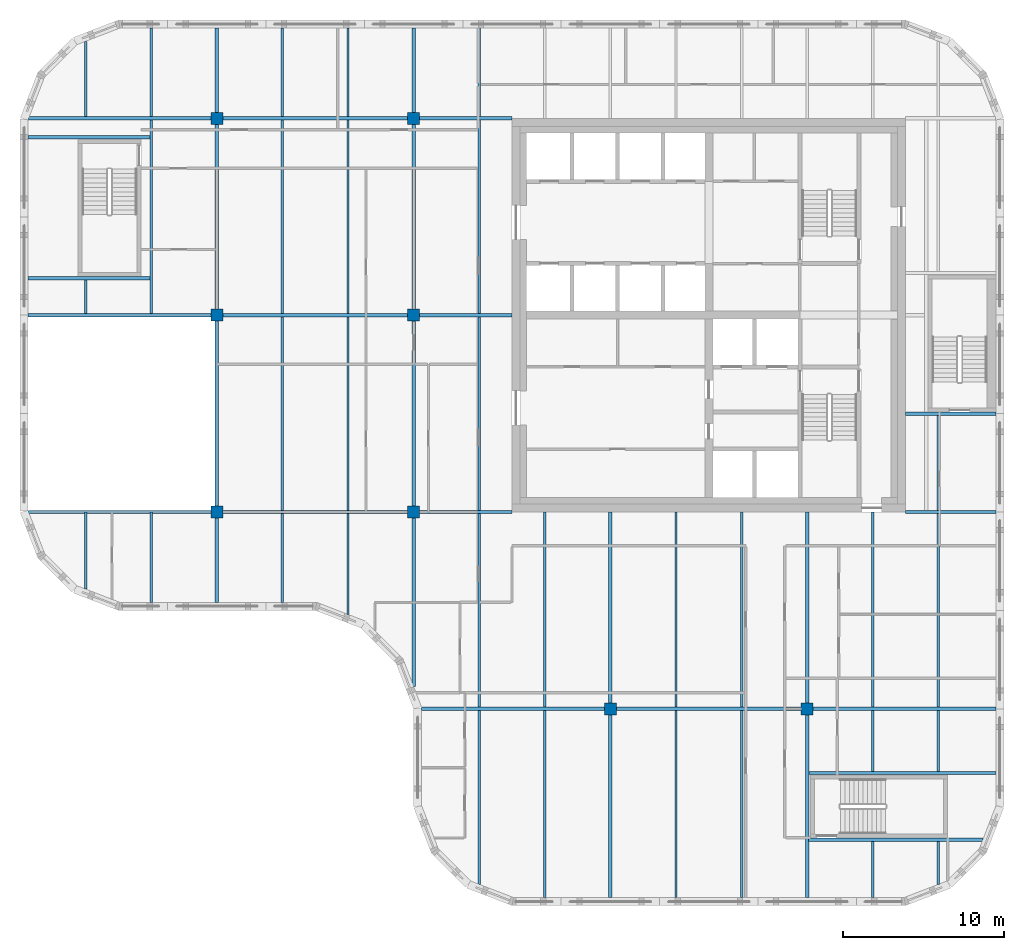
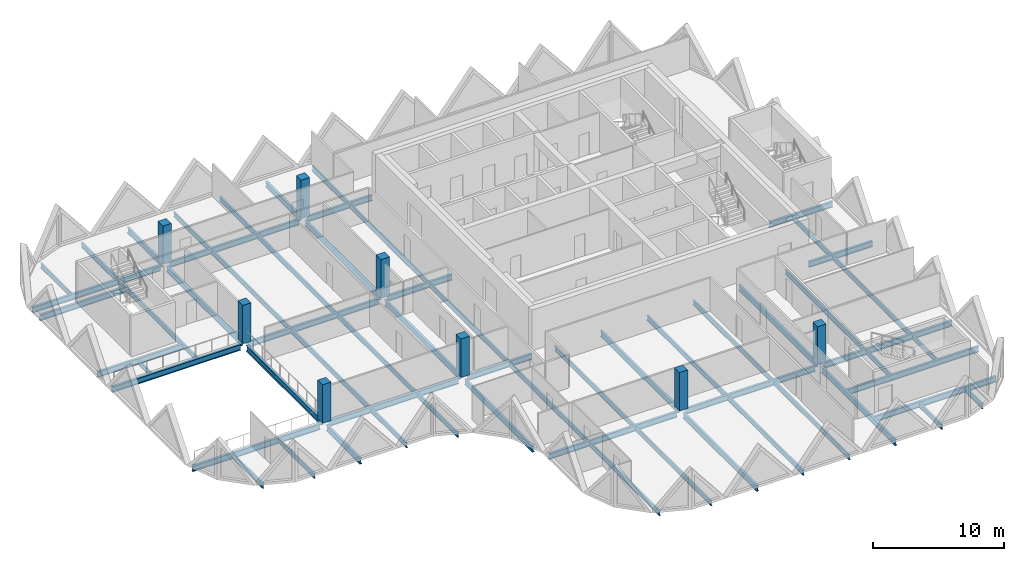
# One storey, part 1 of 11: 62 beams, 8 columns.
"""IFC4 building model written with IfcOpenShell, lengths in metres."""

from ifc_helpers import new_model, si_unit, direction, frame, origin, origin_2d, place, context, subcontext, project, spatial, rectangle, i_section, extrude, material, material_profile, profile_set, type_object, element, save


model = new_model("IFC4")

# Units and contexts
model_context = context("Model", 3, precision=1e-05, world=origin(), true_north=direction((0.0, 1.0)))
body_context = subcontext(model_context, "Body", "Model", "MODEL_VIEW")
ifc_project = project(units=[si_unit("LENGTHUNIT", "METRE"), si_unit("AREAUNIT", "SQUARE_METRE"), si_unit("VOLUMEUNIT", "CUBIC_METRE"), si_unit("PLANEANGLEUNIT", "RADIAN"), si_unit("MASSUNIT", "GRAM", prefix="KILO")], contexts=[model_context])

# Site, building, storey
site_placement = place(None, origin())
site = spatial("IfcSite", under=ifc_project, at=site_placement, CompositionType="ELEMENT")
building_placement = place(site_placement, origin())
building = spatial("IfcBuilding", under=site, at=building_placement, Name="Tessera Gate Towers", CompositionType="ELEMENT")
storey_placement = place(building_placement, frame((0.0, 0.0, 197.89990234375)))
storey = spatial("IfcBuildingStorey", under=building, at=storey_placement, Name="L49", CompositionType="ELEMENT", Elevation=197.89990234375)

# Columns
ifc_material_1 = material(Name="Concrete C70/85", Category="concrete")
ifc_material_profile_1 = material_profile(ifc_material_1, rectangle(XDim=0.75, YDim=0.75, at=origin_2d()), Name="RC 750x750")
ifc_profile_set_1 = profile_set([ifc_material_profile_1], Name="Concrete C70/85")
column_type = type_object("IfcColumnType", Name="COLUMN RC 750x750", PredefinedType="COLUMN", material=ifc_profile_set_1)
for number, where, z_axis, x_axis, name in (
    (1, (12.199951171875, 24.39990234375, 0.0), (0.0, 0.0, 1.0), (1.0, 0.0, 0.0), "T1-COL-2C-L49"),
    (2, (12.199951171875, 36.60009765625, 0.0), (0.0, 0.0, 1.0), (1.0, 0.0, 0.0), "T1-COL-2D-L49"),
    (3, (12.199951171875, 48.800048828125, 0.0), (0.0, 0.0, 1.0), (1.0, 0.0, 0.0), "T1-COL-2E-L49"),
    (4, (24.39990234375, 24.39990234375, 0.0), (0.0, 0.0, 1.0), (1.0, 0.0, 0.0), "T1-COL-3C-L49"),
    (5, (24.39990234375, 36.60009765625, 0.0), (0.0, 0.0, 1.0), (1.0, 0.0, 0.0), "T1-COL-3D-L49"),
    (6, (24.39990234375, 48.800048828125, 0.0), (0.0, 0.0, 1.0), (1.0, 0.0, 0.0), "T1-COL-3E-L49"),
    (7, (36.60009765625, 12.199951171875, 0.0), (0.0, 0.0, 1.0), (1.0, 0.0, 0.0), "T1-COL-4B-L49"),
    (8, (48.800048828125, 12.199951171875, 0.0), (0.0, 0.0, 1.0), (1.0, 0.0, 0.0), "T1-COL-5B-L49"),
):
    element("IfcColumn", number, at=place(storey_placement, frame(where, z_axis=z_axis, x_axis=x_axis)), inside=storey, type_object=column_type, Name=name, PredefinedType="COLUMN", context=body_context, shape_type="SweptSolid", body=[
        extrude(rectangle(XDim=0.75, YDim=0.75, at=origin_2d()), origin(), (0.0, 0.0, 1.0), 3.60009765625),
    ])

# Beams
ifc_material_2 = material(Name="Steel 350W", Category="steel")
ifc_material_profile_2 = material_profile(ifc_material_2, i_section(OverallWidth=0.208984375, OverallDepth=0.532958984375, WebThickness=0.01025390625, FlangeThickness=0.015625, at=origin_2d()), Name="W530x92")
ifc_profile_set_2 = profile_set([ifc_material_profile_2], Name="Steel 350W")
beam_type_1 = type_object("IfcBeamType", Name="FLOOR GIRDER W530x92", PredefinedType="BEAM", material=ifc_profile_set_2)
beam_1_placement = place(storey_placement, frame((24.89892578125, 12.199951171875, -0.46630859375), z_axis=(1.0, 0.0, 0.0), x_axis=(0.0, 1.0, 0.0)))
element("IfcBeam", 9, at=beam_1_placement, inside=storey, type_object=beam_type_1, Name="T1-GD-L49-5182", PredefinedType="BEAM", context=body_context, shape_type="SweptSolid", body=[
    extrude(i_section(OverallWidth=0.208984375, OverallDepth=0.532958984375, WebThickness=0.01025390625, FlangeThickness=0.015625, at=origin_2d()), origin(), (0.0, 0.0, 1.0), 11.326171875),
])
beam_2_placement = place(storey_placement, frame((36.97509765625, 12.199951171875, -0.46630859375), z_axis=(1.0, 0.0, 0.0), x_axis=(0.0, 1.0, 0.0)))
element("IfcBeam", 10, at=beam_2_placement, inside=storey, type_object=beam_type_1, Name="T1-GD-L49-5183", PredefinedType="BEAM", context=body_context, shape_type="SweptSolid", body=[
    extrude(i_section(OverallWidth=0.208984375, OverallDepth=0.532958984375, WebThickness=0.01025390625, FlangeThickness=0.015625, at=origin_2d()), origin(), (0.0, 0.0, 1.0), 11.449951171875),
])
beam_3_placement = place(storey_placement, frame((49.175048828125, 12.199951171875, -0.46630859375), z_axis=(1.0, 0.0, 0.0), x_axis=(0.0, 1.0, 0.0)))
element("IfcBeam", 11, at=beam_3_placement, inside=storey, type_object=beam_type_1, Name="T1-GD-L49-5184", PredefinedType="BEAM", context=body_context, shape_type="SweptSolid", body=[
    extrude(i_section(OverallWidth=0.208984375, OverallDepth=0.532958984375, WebThickness=0.01025390625, FlangeThickness=0.015625, at=origin_2d()), origin(), (0.0, 0.0, 1.0), 11.325927734375),
])
beam_4_placement = place(storey_placement, frame((0.534912109375, 24.39990234375, -0.46630859375), z_axis=(1.0, 0.0, 0.0), x_axis=(0.0, 1.0, 0.0)))
element("IfcBeam", 12, at=beam_4_placement, inside=storey, type_object=beam_type_1, Name="T1-GD-L49-5185", PredefinedType="BEAM", context=body_context, shape_type="SweptSolid", body=[
    extrude(i_section(OverallWidth=0.208984375, OverallDepth=0.532958984375, WebThickness=0.01025390625, FlangeThickness=0.015625, at=origin_2d()), origin(), (0.0, 0.0, 1.0), 11.2900390625),
])
beam_5_placement = place(storey_placement, frame((12.574951171875, 24.39990234375, -0.46630859375), z_axis=(1.0, 0.0, 0.0), x_axis=(0.0, 1.0, 0.0)))
element("IfcBeam", 13, at=beam_5_placement, inside=storey, type_object=beam_type_1, Name="T1-GD-L49-5186", PredefinedType="BEAM", context=body_context, shape_type="SweptSolid", body=[
    extrude(i_section(OverallWidth=0.208984375, OverallDepth=0.532958984375, WebThickness=0.01025390625, FlangeThickness=0.015625, at=origin_2d()), origin(), (0.0, 0.0, 1.0), 11.449951171875),
])
beam_6_placement = place(storey_placement, frame((24.77490234375, 24.39990234375, -0.46630859375), z_axis=(1.0, 0.0, 0.0), x_axis=(0.0, 1.0, 0.0)))
element("IfcBeam", 14, at=beam_6_placement, inside=storey, type_object=beam_type_1, Name="T1-GD-L49-5187", PredefinedType="BEAM", context=body_context, shape_type="SweptSolid", body=[
    extrude(i_section(OverallWidth=0.208984375, OverallDepth=0.532958984375, WebThickness=0.01025390625, FlangeThickness=0.015625, at=origin_2d()), origin(), (0.0, 0.0, 1.0), 5.72412109375),
])
beam_7_placement = place(storey_placement, frame((54.90087890625, 24.39990234375, -0.46630859375), z_axis=(1.0, 0.0, 0.0), x_axis=(0.0, 1.0, 0.0)))
element("IfcBeam", 15, at=beam_7_placement, inside=storey, type_object=beam_type_1, Name="T1-GD-L49-5188", PredefinedType="BEAM", context=body_context, shape_type="SweptSolid", body=[
    extrude(i_section(OverallWidth=0.208984375, OverallDepth=0.532958984375, WebThickness=0.01025390625, FlangeThickness=0.015625, at=origin_2d()), origin(), (0.0, 0.0, 1.0), 5.60009765625),
])
beam_8_placement = place(storey_placement, frame((0.4990234375, 36.60009765625, -0.46630859375), z_axis=(1.0, 0.0, 0.0), x_axis=(0.0, 1.0, 0.0)))
element("IfcBeam", 16, at=beam_8_placement, inside=storey, type_object=beam_type_1, Name="T1-GD-L49-5189", PredefinedType="BEAM", context=body_context, shape_type="SweptSolid", body=[
    extrude(i_section(OverallWidth=0.208984375, OverallDepth=0.532958984375, WebThickness=0.01025390625, FlangeThickness=0.015625, at=origin_2d()), origin(), (0.0, 0.0, 1.0), 11.325927734375),
])
beam_9_placement = place(storey_placement, frame((12.574951171875, 36.60009765625, -0.46630859375), z_axis=(1.0, 0.0, 0.0), x_axis=(0.0, 1.0, 0.0)))
element("IfcBeam", 17, at=beam_9_placement, inside=storey, type_object=beam_type_1, Name="T1-GD-L49-5190", PredefinedType="BEAM", context=body_context, shape_type="SweptSolid", body=[
    extrude(i_section(OverallWidth=0.208984375, OverallDepth=0.532958984375, WebThickness=0.01025390625, FlangeThickness=0.015625, at=origin_2d()), origin(), (0.0, 0.0, 1.0), 11.449951171875),
])
beam_10_placement = place(storey_placement, frame((24.77490234375, 36.60009765625, -0.46630859375), z_axis=(1.0, 0.0, 0.0), x_axis=(0.0, 1.0, 0.0)))
element("IfcBeam", 18, at=beam_10_placement, inside=storey, type_object=beam_type_1, Name="T1-GD-L49-5191", PredefinedType="BEAM", context=body_context, shape_type="SweptSolid", body=[
    extrude(i_section(OverallWidth=0.208984375, OverallDepth=0.532958984375, WebThickness=0.01025390625, FlangeThickness=0.015625, at=origin_2d()), origin(), (0.0, 0.0, 1.0), 5.72607421875),
])
beam_11_placement = place(storey_placement, frame((0.534912109375, 48.800048828125, -0.46630859375), z_axis=(1.0, 0.0, 0.0), x_axis=(0.0, 1.0, 0.0)))
element("IfcBeam", 19, at=beam_11_placement, inside=storey, type_object=beam_type_1, Name="T1-GD-L49-5193", PredefinedType="BEAM", context=body_context, shape_type="SweptSolid", body=[
    extrude(i_section(OverallWidth=0.208984375, OverallDepth=0.532958984375, WebThickness=0.01025390625, FlangeThickness=0.015625, at=origin_2d()), origin(), (0.0, 0.0, 1.0), 11.2900390625),
])
beam_12_placement = place(storey_placement, frame((12.574951171875, 48.800048828125, -0.46630859375), z_axis=(1.0, 0.0, 0.0), x_axis=(0.0, 1.0, 0.0)))
element("IfcBeam", 20, at=beam_12_placement, inside=storey, type_object=beam_type_1, Name="T1-GD-L49-5194", PredefinedType="BEAM", context=body_context, shape_type="SweptSolid", body=[
    extrude(i_section(OverallWidth=0.208984375, OverallDepth=0.532958984375, WebThickness=0.01025390625, FlangeThickness=0.015625, at=origin_2d()), origin(), (0.0, 0.0, 1.0), 11.449951171875),
])
beam_13_placement = place(storey_placement, frame((24.77490234375, 48.800048828125, -0.46630859375), z_axis=(1.0, 0.0, 0.0), x_axis=(0.0, 1.0, 0.0)))
element("IfcBeam", 21, at=beam_13_placement, inside=storey, type_object=beam_type_1, Name="T1-GD-L49-5195", PredefinedType="BEAM", context=body_context, shape_type="SweptSolid", body=[
    extrude(i_section(OverallWidth=0.208984375, OverallDepth=0.532958984375, WebThickness=0.01025390625, FlangeThickness=0.015625, at=origin_2d()), origin(), (0.0, 0.0, 1.0), 5.72412109375),
])
beam_14_placement = place(storey_placement, frame((12.199951171875, 18.799072265625, -0.46630859375), z_axis=(0.0, 1.0, 0.0), x_axis=(-1.0, 0.0, 0.0)))
element("IfcBeam", 22, at=beam_14_placement, inside=storey, type_object=beam_type_1, Name="T1-GD-L49-5197", PredefinedType="BEAM", context=body_context, shape_type="SweptSolid", body=[
    extrude(i_section(OverallWidth=0.208984375, OverallDepth=0.532958984375, WebThickness=0.01025390625, FlangeThickness=0.015625, at=origin_2d()), origin(), (0.0, 0.0, 1.0), 5.225830078125),
])
beam_15_placement = place(storey_placement, frame((12.199951171875, 24.77490234375, -0.46630859375), z_axis=(0.0, 1.0, 0.0), x_axis=(-1.0, 0.0, 0.0)))
element("IfcBeam", 23, at=beam_15_placement, inside=storey, type_object=beam_type_1, Name="T1-GD-L49-5198", PredefinedType="BEAM", context=body_context, shape_type="SweptSolid", body=[
    extrude(i_section(OverallWidth=0.208984375, OverallDepth=0.532958984375, WebThickness=0.01025390625, FlangeThickness=0.015625, at=origin_2d()), origin(), (0.0, 0.0, 1.0), 11.4501953125),
])
beam_16_placement = place(storey_placement, frame((12.199951171875, 36.97509765625, -0.46630859375), z_axis=(0.0, 1.0, 0.0), x_axis=(-1.0, 0.0, 0.0)))
element("IfcBeam", 24, at=beam_16_placement, inside=storey, type_object=beam_type_1, Name="T1-GD-L49-5199", PredefinedType="BEAM", context=body_context, shape_type="SweptSolid", body=[
    extrude(i_section(OverallWidth=0.208984375, OverallDepth=0.532958984375, WebThickness=0.01025390625, FlangeThickness=0.015625, at=origin_2d()), origin(), (0.0, 0.0, 1.0), 11.449951171875),
])
beam_17_placement = place(storey_placement, frame((12.199951171875, 49.175048828125, -0.46630859375), z_axis=(0.0, 1.0, 0.0), x_axis=(-1.0, 0.0, 0.0)))
element("IfcBeam", 25, at=beam_17_placement, inside=storey, type_object=beam_type_1, Name="T1-GD-L49-5200", PredefinedType="BEAM", context=body_context, shape_type="SweptSolid", body=[
    extrude(i_section(OverallWidth=0.208984375, OverallDepth=0.532958984375, WebThickness=0.01025390625, FlangeThickness=0.015625, at=origin_2d()), origin(), (0.0, 0.0, 1.0), 5.225830078125),
])
beam_18_placement = place(storey_placement, frame((24.39990234375, 13.58642578125, -0.46630859375), z_axis=(0.0, 1.0, 0.0), x_axis=(-1.0, 0.0, 0.0)))
element("IfcBeam", 26, at=beam_18_placement, inside=storey, type_object=beam_type_1, Name="T1-GD-L49-5201", PredefinedType="BEAM", context=body_context, shape_type="SweptSolid", body=[
    extrude(i_section(OverallWidth=0.208984375, OverallDepth=0.532958984375, WebThickness=0.01025390625, FlangeThickness=0.015625, at=origin_2d()), origin(), (0.0, 0.0, 1.0), 10.4384765625),
])
beam_19_placement = place(storey_placement, frame((24.39990234375, 24.77490234375, -0.46630859375), z_axis=(0.0, 1.0, 0.0), x_axis=(-1.0, 0.0, 0.0)))
element("IfcBeam", 27, at=beam_19_placement, inside=storey, type_object=beam_type_1, Name="T1-GD-L49-5202", PredefinedType="BEAM", context=body_context, shape_type="SweptSolid", body=[
    extrude(i_section(OverallWidth=0.208984375, OverallDepth=0.532958984375, WebThickness=0.01025390625, FlangeThickness=0.015625, at=origin_2d()), origin(), (0.0, 0.0, 1.0), 11.4501953125),
])
beam_20_placement = place(storey_placement, frame((24.39990234375, 36.97509765625, -0.46630859375), z_axis=(0.0, 1.0, 0.0), x_axis=(-1.0, 0.0, 0.0)))
element("IfcBeam", 28, at=beam_20_placement, inside=storey, type_object=beam_type_1, Name="T1-GD-L49-5203", PredefinedType="BEAM", context=body_context, shape_type="SweptSolid", body=[
    extrude(i_section(OverallWidth=0.208984375, OverallDepth=0.532958984375, WebThickness=0.01025390625, FlangeThickness=0.015625, at=origin_2d()), origin(), (0.0, 0.0, 1.0), 11.449951171875),
])
beam_21_placement = place(storey_placement, frame((24.39990234375, 49.175048828125, -0.46630859375), z_axis=(0.0, 1.0, 0.0), x_axis=(-1.0, 0.0, 0.0)))
element("IfcBeam", 29, at=beam_21_placement, inside=storey, type_object=beam_type_1, Name="T1-GD-L49-5204", PredefinedType="BEAM", context=body_context, shape_type="SweptSolid", body=[
    extrude(i_section(OverallWidth=0.208984375, OverallDepth=0.532958984375, WebThickness=0.01025390625, FlangeThickness=0.015625, at=origin_2d()), origin(), (0.0, 0.0, 1.0), 5.225830078125),
])
beam_22_placement = place(storey_placement, frame((36.60009765625, 0.4990234375, -0.46630859375), z_axis=(0.0, 1.0, 0.0), x_axis=(-1.0, 0.0, 0.0)))
element("IfcBeam", 30, at=beam_22_placement, inside=storey, type_object=beam_type_1, Name="T1-GD-L49-5205", PredefinedType="BEAM", context=body_context, shape_type="SweptSolid", body=[
    extrude(i_section(OverallWidth=0.208984375, OverallDepth=0.532958984375, WebThickness=0.01025390625, FlangeThickness=0.015625, at=origin_2d()), origin(), (0.0, 0.0, 1.0), 11.325927734375),
])
beam_23_placement = place(storey_placement, frame((36.60009765625, 12.574951171875, -0.46630859375), z_axis=(0.0, 1.0, 0.0), x_axis=(-1.0, 0.0, 0.0)))
element("IfcBeam", 31, at=beam_23_placement, inside=storey, type_object=beam_type_1, Name="T1-GD-L49-5206", PredefinedType="BEAM", context=body_context, shape_type="SweptSolid", body=[
    extrude(i_section(OverallWidth=0.208984375, OverallDepth=0.532958984375, WebThickness=0.01025390625, FlangeThickness=0.015625, at=origin_2d()), origin(), (0.0, 0.0, 1.0), 11.824951171875),
])
beam_24_placement = place(storey_placement, frame((48.800048828125, 0.4990234375, -0.46630859375), z_axis=(0.0, 1.0, 0.0), x_axis=(-1.0, 0.0, 0.0)))
element("IfcBeam", 32, at=beam_24_placement, inside=storey, type_object=beam_type_1, Name="T1-GD-L49-5207", PredefinedType="BEAM", context=body_context, shape_type="SweptSolid", body=[
    extrude(i_section(OverallWidth=0.208984375, OverallDepth=0.532958984375, WebThickness=0.01025390625, FlangeThickness=0.015625, at=origin_2d()), origin(), (0.0, 0.0, 1.0), 11.325927734375),
])
beam_25_placement = place(storey_placement, frame((48.800048828125, 12.574951171875, -0.46630859375), z_axis=(0.0, 1.0, 0.0), x_axis=(-1.0, 0.0, 0.0)))
element("IfcBeam", 33, at=beam_25_placement, inside=storey, type_object=beam_type_1, Name="T1-GD-L49-5208", PredefinedType="BEAM", context=body_context, shape_type="SweptSolid", body=[
    extrude(i_section(OverallWidth=0.208984375, OverallDepth=0.532958984375, WebThickness=0.01025390625, FlangeThickness=0.015625, at=origin_2d()), origin(), (0.0, 0.0, 1.0), 11.824951171875),
])
for number, where, z_axis, x_axis, name in (
    (34, (0.4990234375, 38.8798828125, -0.46630859375), (1.0, 0.0, 0.0), (0.0, 1.0, 0.0), "T1-GD-L49-5209"),
    (35, (0.4990234375, 47.6201171875, -0.46630859375), (1.0, 0.0, 0.0), (0.0, 1.0, 0.0), "T1-GD-L49-5210"),
):
    element("IfcBeam", number, at=place(storey_placement, frame(where, z_axis=z_axis, x_axis=x_axis)), inside=storey, type_object=beam_type_1, Name=name, PredefinedType="BEAM", context=body_context, shape_type="SweptSolid", body=[
        extrude(i_section(OverallWidth=0.208984375, OverallDepth=0.532958984375, WebThickness=0.01025390625, FlangeThickness=0.015625, at=origin_2d()), origin(), (0.0, 0.0, 1.0), 7.557861328125),
    ])
beam_26_placement = place(storey_placement, frame((48.87646484375, 4.080078125, -0.46630859375), z_axis=(1.0, 0.0, 0.0), x_axis=(0.0, 1.0, 0.0)))
element("IfcBeam", 36, at=beam_26_placement, inside=storey, type_object=beam_type_1, Name="T1-GD-L49-5211", PredefinedType="BEAM", context=body_context, shape_type="SweptSolid", body=[
    extrude(i_section(OverallWidth=0.208984375, OverallDepth=0.532958984375, WebThickness=0.01025390625, FlangeThickness=0.015625, at=origin_2d()), origin(), (0.0, 0.0, 1.0), 10.809326171875),
])
beam_27_placement = place(storey_placement, frame((48.87646484375, 8.219970703125, -0.46630859375), z_axis=(1.0, 0.0, 0.0), x_axis=(0.0, 1.0, 0.0)))
element("IfcBeam", 37, at=beam_27_placement, inside=storey, type_object=beam_type_1, Name="T1-GD-L49-5212", PredefinedType="BEAM", context=body_context, shape_type="SweptSolid", body=[
    extrude(i_section(OverallWidth=0.208984375, OverallDepth=0.532958984375, WebThickness=0.01025390625, FlangeThickness=0.015625, at=origin_2d()), origin(), (0.0, 0.0, 1.0), 11.62451171875),
])
beam_28_placement = place(storey_placement, frame((54.89892578125, 30.47998046875, -0.46630859375), z_axis=(1.0, 0.0, 0.0), x_axis=(0.0, 1.0, 0.0)))
element("IfcBeam", 38, at=beam_28_placement, inside=storey, type_object=beam_type_1, Name="T1-GD-L49-5213", PredefinedType="BEAM", context=body_context, shape_type="SweptSolid", body=[
    extrude(i_section(OverallWidth=0.208984375, OverallDepth=0.532958984375, WebThickness=0.01025390625, FlangeThickness=0.015625, at=origin_2d()), origin(), (0.0, 0.0, 1.0), 5.60205078125),
])
ifc_material_3 = material(Name="Steel 350W", Category="steel")
ifc_material_profile_3 = material_profile(ifc_material_3, i_section(OverallWidth=0.153076171875, OverallDepth=0.455078125, WebThickness=0.008056640625, FlangeThickness=0.01318359375, at=origin_2d()), Name="W460x60")
ifc_profile_set_3 = profile_set([ifc_material_profile_3], Name="Steel 350W")
beam_type_2 = type_object("IfcBeamType", Name="FLOOR SECONDARY W460x60", PredefinedType="BEAM", material=ifc_profile_set_3)
beam_29_placement = place(storey_placement, frame((4.066650390625, 19.620361328125, -0.427490234375), z_axis=(0.0, 1.0, 0.0), x_axis=(-1.0, 0.0, 0.0)))
element("IfcBeam", 39, at=beam_29_placement, inside=storey, type_object=beam_type_2, Name="T1-BM-L49-5216", PredefinedType="BEAM", context=body_context, shape_type="SweptSolid", body=[
    extrude(i_section(OverallWidth=0.153076171875, OverallDepth=0.455078125, WebThickness=0.008056640625, FlangeThickness=0.01318359375, at=origin_2d()), origin(), (0.0, 0.0, 1.0), 4.779541015625),
])
beam_30_placement = place(storey_placement, frame((4.066650390625, 36.70458984375, -0.427490234375), z_axis=(0.0, 1.0, 0.0), x_axis=(-1.0, 0.0, 0.0)))
element("IfcBeam", 40, at=beam_30_placement, inside=storey, type_object=beam_type_2, Name="T1-BM-L49-5217", PredefinedType="BEAM", context=body_context, shape_type="SweptSolid", body=[
    extrude(i_section(OverallWidth=0.153076171875, OverallDepth=0.455078125, WebThickness=0.008056640625, FlangeThickness=0.01318359375, at=origin_2d()), origin(), (0.0, 0.0, 1.0), 2.07080078125),
])
beam_31_placement = place(storey_placement, frame((4.066650390625, 48.904541015625, -0.427490234375), z_axis=(0.0, 1.0, 0.0), x_axis=(-1.0, 0.0, 0.0)))
element("IfcBeam", 41, at=beam_31_placement, inside=storey, type_object=beam_type_2, Name="T1-BM-L49-5218", PredefinedType="BEAM", context=body_context, shape_type="SweptSolid", body=[
    extrude(i_section(OverallWidth=0.153076171875, OverallDepth=0.455078125, WebThickness=0.008056640625, FlangeThickness=0.01318359375, at=origin_2d()), origin(), (0.0, 0.0, 1.0), 4.675048828125),
])
beam_32_placement = place(storey_placement, frame((8.13330078125, 18.800048828125, -0.427490234375), z_axis=(0.0, 1.0, 0.0), x_axis=(-1.0, 0.0, 0.0)))
element("IfcBeam", 42, at=beam_32_placement, inside=storey, type_object=beam_type_2, Name="T1-BM-L49-5219", PredefinedType="BEAM", context=body_context, shape_type="SweptSolid", body=[
    extrude(i_section(OverallWidth=0.153076171875, OverallDepth=0.455078125, WebThickness=0.008056640625, FlangeThickness=0.01318359375, at=origin_2d()), origin(), (0.0, 0.0, 1.0), 5.599853515625),
])
beam_33_placement = place(storey_placement, frame((8.13330078125, 36.70458984375, -0.427490234375), z_axis=(0.0, 1.0, 0.0), x_axis=(-1.0, 0.0, 0.0)))
element("IfcBeam", 43, at=beam_33_placement, inside=storey, type_object=beam_type_2, Name="T1-BM-L49-5220", PredefinedType="BEAM", context=body_context, shape_type="SweptSolid", body=[
    extrude(i_section(OverallWidth=0.153076171875, OverallDepth=0.455078125, WebThickness=0.008056640625, FlangeThickness=0.01318359375, at=origin_2d()), origin(), (0.0, 0.0, 1.0), 11.990966796875),
])
for number, where, z_axis, x_axis, name in (
    (44, (8.13330078125, 48.904541015625, -0.427490234375), (0.0, 1.0, 0.0), (-1.0, 0.0, 0.0), "T1-BM-L49-5221"),
    (45, (16.2666015625, 18.800048828125, -0.427490234375), (0.0, 1.0, 0.0), (-1.0, 0.0, 0.0), "T1-BM-L49-5222"),
):
    element("IfcBeam", number, at=place(storey_placement, frame(where, z_axis=z_axis, x_axis=x_axis)), inside=storey, type_object=beam_type_2, Name=name, PredefinedType="BEAM", context=body_context, shape_type="SweptSolid", body=[
        extrude(i_section(OverallWidth=0.153076171875, OverallDepth=0.455078125, WebThickness=0.008056640625, FlangeThickness=0.01318359375, at=origin_2d()), origin(), (0.0, 0.0, 1.0), 5.495361328125),
    ])
beam_34_placement = place(storey_placement, frame((16.2666015625, 24.50439453125, -0.427490234375), z_axis=(0.0, 1.0, 0.0), x_axis=(-1.0, 0.0, 0.0)))
element("IfcBeam", 46, at=beam_34_placement, inside=storey, type_object=beam_type_2, Name="T1-BM-L49-5223", PredefinedType="BEAM", context=body_context, shape_type="SweptSolid", body=[
    extrude(i_section(OverallWidth=0.153076171875, OverallDepth=0.455078125, WebThickness=0.008056640625, FlangeThickness=0.01318359375, at=origin_2d()), origin(), (0.0, 0.0, 1.0), 11.9912109375),
])
beam_35_placement = place(storey_placement, frame((16.2666015625, 36.70458984375, -0.427490234375), z_axis=(0.0, 1.0, 0.0), x_axis=(-1.0, 0.0, 0.0)))
element("IfcBeam", 47, at=beam_35_placement, inside=storey, type_object=beam_type_2, Name="T1-BM-L49-5224", PredefinedType="BEAM", context=body_context, shape_type="SweptSolid", body=[
    extrude(i_section(OverallWidth=0.153076171875, OverallDepth=0.455078125, WebThickness=0.008056640625, FlangeThickness=0.01318359375, at=origin_2d()), origin(), (0.0, 0.0, 1.0), 11.990966796875),
])
beam_36_placement = place(storey_placement, frame((16.2666015625, 48.904541015625, -0.427490234375), z_axis=(0.0, 1.0, 0.0), x_axis=(-1.0, 0.0, 0.0)))
element("IfcBeam", 48, at=beam_36_placement, inside=storey, type_object=beam_type_2, Name="T1-BM-L49-5225", PredefinedType="BEAM", context=body_context, shape_type="SweptSolid", body=[
    extrude(i_section(OverallWidth=0.153076171875, OverallDepth=0.455078125, WebThickness=0.008056640625, FlangeThickness=0.01318359375, at=origin_2d()), origin(), (0.0, 0.0, 1.0), 5.495361328125),
])
beam_37_placement = place(storey_placement, frame((20.333251953125, 18.051513671875, -0.427490234375), z_axis=(0.0, 1.0, 0.0), x_axis=(-1.0, 0.0, 0.0)))
element("IfcBeam", 49, at=beam_37_placement, inside=storey, type_object=beam_type_2, Name="T1-BM-L49-5226", PredefinedType="BEAM", context=body_context, shape_type="SweptSolid", body=[
    extrude(i_section(OverallWidth=0.153076171875, OverallDepth=0.455078125, WebThickness=0.008056640625, FlangeThickness=0.01318359375, at=origin_2d()), origin(), (0.0, 0.0, 1.0), 6.243896484375),
])
beam_38_placement = place(storey_placement, frame((20.333251953125, 24.50439453125, -0.427490234375), z_axis=(0.0, 1.0, 0.0), x_axis=(-1.0, 0.0, 0.0)))
element("IfcBeam", 50, at=beam_38_placement, inside=storey, type_object=beam_type_2, Name="T1-BM-L49-5227", PredefinedType="BEAM", context=body_context, shape_type="SweptSolid", body=[
    extrude(i_section(OverallWidth=0.153076171875, OverallDepth=0.455078125, WebThickness=0.008056640625, FlangeThickness=0.01318359375, at=origin_2d()), origin(), (0.0, 0.0, 1.0), 11.9912109375),
])
beam_39_placement = place(storey_placement, frame((20.333251953125, 36.70458984375, -0.427490234375), z_axis=(0.0, 1.0, 0.0), x_axis=(-1.0, 0.0, 0.0)))
element("IfcBeam", 51, at=beam_39_placement, inside=storey, type_object=beam_type_2, Name="T1-BM-L49-5228", PredefinedType="BEAM", context=body_context, shape_type="SweptSolid", body=[
    extrude(i_section(OverallWidth=0.153076171875, OverallDepth=0.455078125, WebThickness=0.008056640625, FlangeThickness=0.01318359375, at=origin_2d()), origin(), (0.0, 0.0, 1.0), 11.990966796875),
])
beam_40_placement = place(storey_placement, frame((20.333251953125, 48.904541015625, -0.427490234375), z_axis=(0.0, 1.0, 0.0), x_axis=(-1.0, 0.0, 0.0)))
element("IfcBeam", 52, at=beam_40_placement, inside=storey, type_object=beam_type_2, Name="T1-BM-L49-5229", PredefinedType="BEAM", context=body_context, shape_type="SweptSolid", body=[
    extrude(i_section(OverallWidth=0.153076171875, OverallDepth=0.455078125, WebThickness=0.008056640625, FlangeThickness=0.01318359375, at=origin_2d()), origin(), (0.0, 0.0, 1.0), 5.495361328125),
])
beam_41_placement = place(storey_placement, frame((28.466796875, 1.3203125, -0.427490234375), z_axis=(0.0, 1.0, 0.0), x_axis=(-1.0, 0.0, 0.0)))
element("IfcBeam", 53, at=beam_41_placement, inside=storey, type_object=beam_type_2, Name="T1-BM-L49-5230", PredefinedType="BEAM", context=body_context, shape_type="SweptSolid", body=[
    extrude(i_section(OverallWidth=0.153076171875, OverallDepth=0.455078125, WebThickness=0.008056640625, FlangeThickness=0.01318359375, at=origin_2d()), origin(), (0.0, 0.0, 1.0), 10.775146484375),
])
beam_42_placement = place(storey_placement, frame((28.466796875, 12.304443359375, -0.427490234375), z_axis=(0.0, 1.0, 0.0), x_axis=(-1.0, 0.0, 0.0)))
element("IfcBeam", 54, at=beam_42_placement, inside=storey, type_object=beam_type_2, Name="T1-BM-L49-5231", PredefinedType="BEAM", context=body_context, shape_type="SweptSolid", body=[
    extrude(i_section(OverallWidth=0.153076171875, OverallDepth=0.455078125, WebThickness=0.008056640625, FlangeThickness=0.01318359375, at=origin_2d()), origin(), (0.0, 0.0, 1.0), 11.990966796875),
])
beam_43_placement = place(storey_placement, frame((28.466796875, 24.50439453125, -0.427490234375), z_axis=(0.0, 1.0, 0.0), x_axis=(-1.0, 0.0, 0.0)))
element("IfcBeam", 55, at=beam_43_placement, inside=storey, type_object=beam_type_2, Name="T1-BM-L49-5232", PredefinedType="BEAM", context=body_context, shape_type="SweptSolid", body=[
    extrude(i_section(OverallWidth=0.153076171875, OverallDepth=0.455078125, WebThickness=0.008056640625, FlangeThickness=0.01318359375, at=origin_2d()), origin(), (0.0, 0.0, 1.0), 11.9912109375),
])
beam_44_placement = place(storey_placement, frame((28.466796875, 36.70458984375, -0.427490234375), z_axis=(0.0, 1.0, 0.0), x_axis=(-1.0, 0.0, 0.0)))
element("IfcBeam", 56, at=beam_44_placement, inside=storey, type_object=beam_type_2, Name="T1-BM-L49-5233", PredefinedType="BEAM", context=body_context, shape_type="SweptSolid", body=[
    extrude(i_section(OverallWidth=0.153076171875, OverallDepth=0.455078125, WebThickness=0.008056640625, FlangeThickness=0.01318359375, at=origin_2d()), origin(), (0.0, 0.0, 1.0), 11.990966796875),
])
beam_45_placement = place(storey_placement, frame((28.466796875, 48.904541015625, -0.427490234375), z_axis=(0.0, 1.0, 0.0), x_axis=(-1.0, 0.0, 0.0)))
element("IfcBeam", 57, at=beam_45_placement, inside=storey, type_object=beam_type_2, Name="T1-BM-L49-5234", PredefinedType="BEAM", context=body_context, shape_type="SweptSolid", body=[
    extrude(i_section(OverallWidth=0.153076171875, OverallDepth=0.455078125, WebThickness=0.008056640625, FlangeThickness=0.01318359375, at=origin_2d()), origin(), (0.0, 0.0, 1.0), 5.495361328125),
])
beam_46_placement = place(storey_placement, frame((32.533203125, 0.5, -0.427490234375), z_axis=(0.0, 1.0, 0.0), x_axis=(-1.0, 0.0, 0.0)))
element("IfcBeam", 58, at=beam_46_placement, inside=storey, type_object=beam_type_2, Name="T1-BM-L49-5235", PredefinedType="BEAM", context=body_context, shape_type="SweptSolid", body=[
    extrude(i_section(OverallWidth=0.153076171875, OverallDepth=0.455078125, WebThickness=0.008056640625, FlangeThickness=0.01318359375, at=origin_2d()), origin(), (0.0, 0.0, 1.0), 11.595458984375),
])
beam_47_placement = place(storey_placement, frame((32.533203125, 12.304443359375, -0.427490234375), z_axis=(0.0, 1.0, 0.0), x_axis=(-1.0, 0.0, 0.0)))
element("IfcBeam", 59, at=beam_47_placement, inside=storey, type_object=beam_type_2, Name="T1-BM-L49-5236", PredefinedType="BEAM", context=body_context, shape_type="SweptSolid", body=[
    extrude(i_section(OverallWidth=0.153076171875, OverallDepth=0.455078125, WebThickness=0.008056640625, FlangeThickness=0.01318359375, at=origin_2d()), origin(), (0.0, 0.0, 1.0), 12.095458984375),
])
beam_48_placement = place(storey_placement, frame((40.666748046875, 0.5, -0.427490234375), z_axis=(0.0, 1.0, 0.0), x_axis=(-1.0, 0.0, 0.0)))
element("IfcBeam", 60, at=beam_48_placement, inside=storey, type_object=beam_type_2, Name="T1-BM-L49-5239", PredefinedType="BEAM", context=body_context, shape_type="SweptSolid", body=[
    extrude(i_section(OverallWidth=0.153076171875, OverallDepth=0.455078125, WebThickness=0.008056640625, FlangeThickness=0.01318359375, at=origin_2d()), origin(), (0.0, 0.0, 1.0), 11.595458984375),
])
beam_49_placement = place(storey_placement, frame((40.666748046875, 12.304443359375, -0.427490234375), z_axis=(0.0, 1.0, 0.0), x_axis=(-1.0, 0.0, 0.0)))
element("IfcBeam", 61, at=beam_49_placement, inside=storey, type_object=beam_type_2, Name="T1-BM-L49-5240", PredefinedType="BEAM", context=body_context, shape_type="SweptSolid", body=[
    extrude(i_section(OverallWidth=0.153076171875, OverallDepth=0.455078125, WebThickness=0.008056640625, FlangeThickness=0.01318359375, at=origin_2d()), origin(), (0.0, 0.0, 1.0), 12.095458984375),
])
beam_50_placement = place(storey_placement, frame((44.7333984375, 0.5, -0.427490234375), z_axis=(0.0, 1.0, 0.0), x_axis=(-1.0, 0.0, 0.0)))
element("IfcBeam", 62, at=beam_50_placement, inside=storey, type_object=beam_type_2, Name="T1-BM-L49-5242", PredefinedType="BEAM", context=body_context, shape_type="SweptSolid", body=[
    extrude(i_section(OverallWidth=0.153076171875, OverallDepth=0.455078125, WebThickness=0.008056640625, FlangeThickness=0.01318359375, at=origin_2d()), origin(), (0.0, 0.0, 1.0), 11.595458984375),
])
beam_51_placement = place(storey_placement, frame((44.7333984375, 12.304443359375, -0.427490234375), z_axis=(0.0, 1.0, 0.0), x_axis=(-1.0, 0.0, 0.0)))
element("IfcBeam", 63, at=beam_51_placement, inside=storey, type_object=beam_type_2, Name="T1-BM-L49-5243", PredefinedType="BEAM", context=body_context, shape_type="SweptSolid", body=[
    extrude(i_section(OverallWidth=0.153076171875, OverallDepth=0.455078125, WebThickness=0.008056640625, FlangeThickness=0.01318359375, at=origin_2d()), origin(), (0.0, 0.0, 1.0), 12.095458984375),
])
beam_52_placement = place(storey_placement, frame((52.86669921875, 0.5, -0.427490234375), z_axis=(0.0, 1.0, 0.0), x_axis=(-1.0, 0.0, 0.0)))
element("IfcBeam", 64, at=beam_52_placement, inside=storey, type_object=beam_type_2, Name="T1-BM-L49-5246", PredefinedType="BEAM", context=body_context, shape_type="SweptSolid", body=[
    extrude(i_section(OverallWidth=0.153076171875, OverallDepth=0.455078125, WebThickness=0.008056640625, FlangeThickness=0.01318359375, at=origin_2d()), origin(), (0.0, 0.0, 1.0), 3.4755859375),
])
beam_53_placement = place(storey_placement, frame((52.86669921875, 8.324462890625, -0.427490234375), z_axis=(0.0, 1.0, 0.0), x_axis=(-1.0, 0.0, 0.0)))
element("IfcBeam", 65, at=beam_53_placement, inside=storey, type_object=beam_type_2, Name="T1-BM-L49-5247", PredefinedType="BEAM", context=body_context, shape_type="SweptSolid", body=[
    extrude(i_section(OverallWidth=0.153076171875, OverallDepth=0.455078125, WebThickness=0.008056640625, FlangeThickness=0.01318359375, at=origin_2d()), origin(), (0.0, 0.0, 1.0), 3.77099609375),
])
beam_54_placement = place(storey_placement, frame((52.86669921875, 12.304443359375, -0.427490234375), z_axis=(0.0, 1.0, 0.0), x_axis=(-1.0, 0.0, 0.0)))
element("IfcBeam", 66, at=beam_54_placement, inside=storey, type_object=beam_type_2, Name="T1-BM-L49-5248", PredefinedType="BEAM", context=body_context, shape_type="SweptSolid", body=[
    extrude(i_section(OverallWidth=0.153076171875, OverallDepth=0.455078125, WebThickness=0.008056640625, FlangeThickness=0.01318359375, at=origin_2d()), origin(), (0.0, 0.0, 1.0), 12.095458984375),
])
beam_55_placement = place(storey_placement, frame((56.933349609375, 1.3203125, -0.427490234375), z_axis=(0.0, 1.0, 0.0), x_axis=(-1.0, 0.0, 0.0)))
element("IfcBeam", 67, at=beam_55_placement, inside=storey, type_object=beam_type_2, Name="T1-BM-L49-5250", PredefinedType="BEAM", context=body_context, shape_type="SweptSolid", body=[
    extrude(i_section(OverallWidth=0.153076171875, OverallDepth=0.455078125, WebThickness=0.008056640625, FlangeThickness=0.01318359375, at=origin_2d()), origin(), (0.0, 0.0, 1.0), 2.6552734375),
])
beam_56_placement = place(storey_placement, frame((56.933349609375, 8.324462890625, -0.427490234375), z_axis=(0.0, 1.0, 0.0), x_axis=(-1.0, 0.0, 0.0)))
element("IfcBeam", 68, at=beam_56_placement, inside=storey, type_object=beam_type_2, Name="T1-BM-L49-5251", PredefinedType="BEAM", context=body_context, shape_type="SweptSolid", body=[
    extrude(i_section(OverallWidth=0.153076171875, OverallDepth=0.455078125, WebThickness=0.008056640625, FlangeThickness=0.01318359375, at=origin_2d()), origin(), (0.0, 0.0, 1.0), 3.77099609375),
])
beam_57_placement = place(storey_placement, frame((56.933349609375, 12.304443359375, -0.427490234375), z_axis=(0.0, 1.0, 0.0), x_axis=(-1.0, 0.0, 0.0)))
element("IfcBeam", 69, at=beam_57_placement, inside=storey, type_object=beam_type_2, Name="T1-BM-L49-5252", PredefinedType="BEAM", context=body_context, shape_type="SweptSolid", body=[
    extrude(i_section(OverallWidth=0.153076171875, OverallDepth=0.455078125, WebThickness=0.008056640625, FlangeThickness=0.01318359375, at=origin_2d()), origin(), (0.0, 0.0, 1.0), 11.990966796875),
])
beam_58_placement = place(storey_placement, frame((56.933349609375, 24.50439453125, -0.427490234375), z_axis=(0.0, 1.0, 0.0), x_axis=(-1.0, 0.0, 0.0)))
element("IfcBeam", 70, at=beam_58_placement, inside=storey, type_object=beam_type_2, Name="T1-BM-L49-5253", PredefinedType="BEAM", context=body_context, shape_type="SweptSolid", body=[
    extrude(i_section(OverallWidth=0.153076171875, OverallDepth=0.455078125, WebThickness=0.008056640625, FlangeThickness=0.01318359375, at=origin_2d()), origin(), (0.0, 0.0, 1.0), 5.87109375),
])

save(model, "model.ifc")
